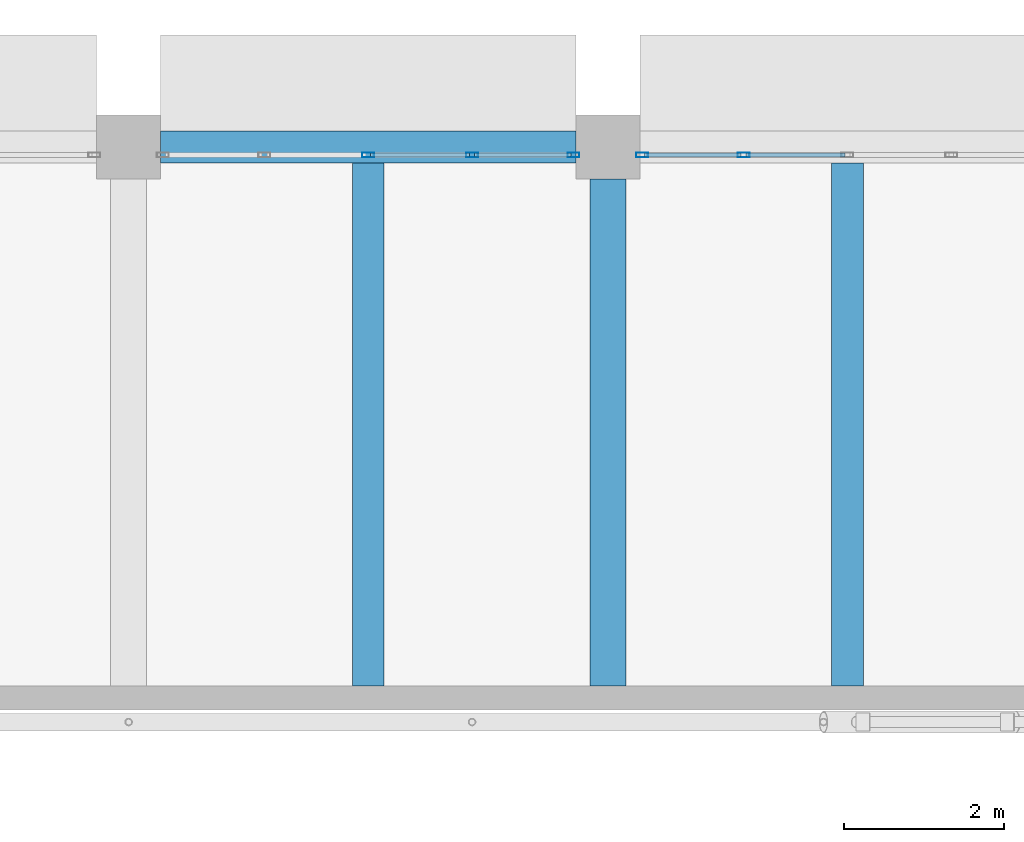
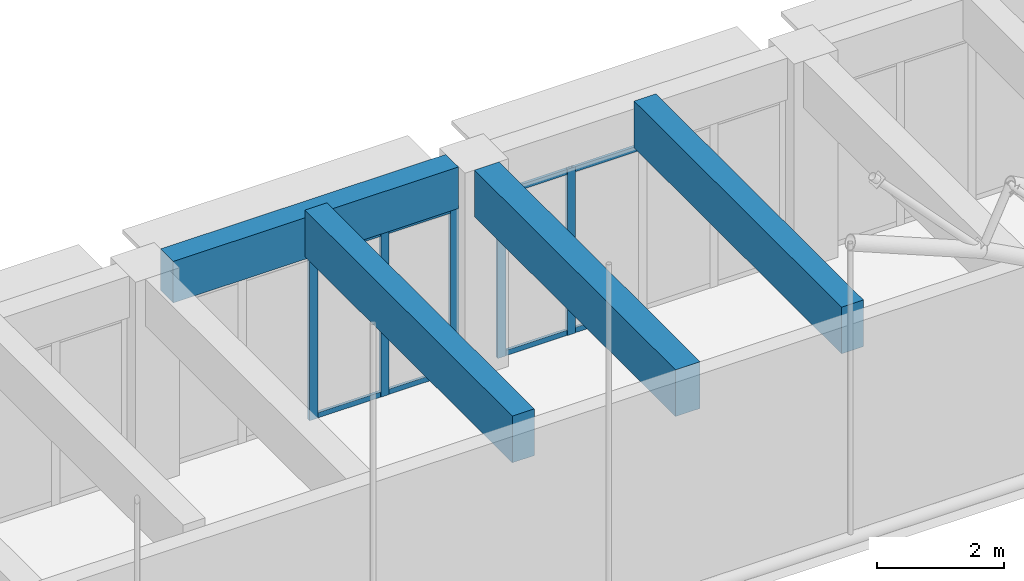
# One storey, part 27 of 101: 13 members, 4 beams, 2 elements without a shape of their own.
"""IFC4 building model written with IfcOpenShell, lengths in metres."""

from ifc_helpers import new_model, si_unit, direction, frame, origin, origin_2d, place, context, subcontext, project, spatial, rectangle, hollow_rectangle, extrude, material, material_profile, profile_set, type_object, element, aggregate, save


model = new_model("IFC4")

# Units and contexts
model_context = context("Model", 3, precision=1e-05, world=origin(), true_north=direction((0.0, 1.0)))
body_context = subcontext(model_context, "Body", "Model", "MODEL_VIEW")
ifc_project = project(units=[si_unit("LENGTHUNIT", "METRE"), si_unit("AREAUNIT", "SQUARE_METRE"), si_unit("VOLUMEUNIT", "CUBIC_METRE"), si_unit("PLANEANGLEUNIT", "RADIAN"), si_unit("MASSUNIT", "GRAM", prefix="KILO")], contexts=[model_context])

# Site, building, storey
site_placement = place(None, origin())
site = spatial("IfcSite", under=ifc_project, at=site_placement, CompositionType="ELEMENT")
building_placement = place(site_placement, origin())
building = spatial("IfcBuilding", under=site, at=building_placement, Name="Laocheng Heights Fire and Rescue Headquarters", CompositionType="ELEMENT")
storey_placement = place(building_placement, frame((0.0, 0.0, 8.39990234375)))
storey = spatial("IfcBuildingStorey", under=building, at=storey_placement, Name="L02", CompositionType="ELEMENT", Elevation=8.39990234375)

# Curtain wall, members
ifc_material_1 = material(Name="Aluminium unitised curtain wall, low-e double glazing", Category="aluminium")
curtain_wall_type = type_object("IfcCurtainWallType", Name="CW 5200 x 3200 GALLERY UNIT", PredefinedType="NOTDEFINED", material=ifc_material_1)
curtain_wall_1_placement = place(storey_placement, origin())
curtain_wall_1 = element("IfcCurtainWall", 1, at=curtain_wall_1_placement, inside=storey, type_object=curtain_wall_type, Name="Gallery north glazing L02", PredefinedType="NOTDEFINED")
ifc_material_2 = material(Name="Aluminium 6063-T5 extrusion", Category="aluminium")
ifc_material_profile_1 = material_profile(ifc_material_2, hollow_rectangle(XDim=0.06005859375, YDim=0.14990234375, WallThickness=0.0029296875, at=origin_2d()), Name="AL MULLION 150x60x3")
ifc_profile_set_1 = profile_set([ifc_material_profile_1], Name="Aluminium 6063-T5 extrusion")
member_type_1 = type_object("IfcMemberType", Name="AL CURTAIN WALL MULLION 150x60x3", PredefinedType="MULLION", material=ifc_profile_set_1)
member_1_placement = place(storey_placement, frame((39.0, 28.699951171875, 0.0), z_axis=(0.0, 0.0, 1.0), x_axis=(0.0, 1.0, 0.0)))
member_1 = element("IfcMember", 2, at=member_1_placement, type_object=member_type_1, Name="X4-E mullion 3", PredefinedType="MULLION", context=body_context, shape_type="SweptSolid", body=[
    extrude(hollow_rectangle(XDim=0.06005859375, YDim=0.14990234375, WallThickness=0.0029296875, at=origin_2d()), origin(), (0.0, 0.0, 1.0), 3.2001953125),
])
member_2_placement = place(storey_placement, frame((40.300048828125, 28.699951171875, 0.0), z_axis=(0.0, 0.0, 1.0), x_axis=(0.0, 1.0, 0.0)))
member_2 = element("IfcMember", 3, at=member_2_placement, type_object=member_type_1, Name="X4-E mullion 4", PredefinedType="MULLION", context=body_context, shape_type="SweptSolid", body=[
    extrude(hollow_rectangle(XDim=0.06005859375, YDim=0.14990234375, WallThickness=0.0029296875, at=origin_2d()), origin(), (0.0, 0.0, 1.0), 3.2001953125),
])
member_3_placement = place(storey_placement, frame((41.570068359375, 28.699951171875, 0.0), z_axis=(0.0, 0.0, 1.0), x_axis=(0.0, 1.0, 0.0)))
member_3 = element("IfcMember", 4, at=member_3_placement, type_object=member_type_1, Name="X4-E mullion 5", PredefinedType="MULLION", context=body_context, shape_type="SweptSolid", body=[
    extrude(hollow_rectangle(XDim=0.06005859375, YDim=0.14990234375, WallThickness=0.0029296875, at=origin_2d()), origin(), (0.0, 0.0, 1.0), 3.2001953125),
])

curtain_wall_2_placement = place(storey_placement, origin())
curtain_wall_2 = element("IfcCurtainWall", 5, at=curtain_wall_2_placement, inside=storey, type_object=curtain_wall_type, Name="Gallery north glazing L02", PredefinedType="NOTDEFINED")
member_4_placement = place(storey_placement, frame((42.429931640625, 28.699951171875, 0.0), z_axis=(0.0, 0.0, 1.0), x_axis=(0.0, 1.0, 0.0)))
member_4 = element("IfcMember", 6, at=member_4_placement, type_object=member_type_1, Name="X4-E mullion 1", PredefinedType="MULLION", context=body_context, shape_type="SweptSolid", body=[
    extrude(hollow_rectangle(XDim=0.06005859375, YDim=0.14990234375, WallThickness=0.0029296875, at=origin_2d()), origin(), (0.0, 0.0, 1.0), 3.2001953125),
])
member_5_placement = place(storey_placement, frame((43.699951171875, 28.699951171875, 0.0), z_axis=(0.0, 0.0, 1.0), x_axis=(0.0, 1.0, 0.0)))
member_5 = element("IfcMember", 7, at=member_5_placement, type_object=member_type_1, Name="X4-E mullion 2", PredefinedType="MULLION", context=body_context, shape_type="SweptSolid", body=[
    extrude(hollow_rectangle(XDim=0.06005859375, YDim=0.14990234375, WallThickness=0.0029296875, at=origin_2d()), origin(), (0.0, 0.0, 1.0), 3.2001953125),
])

# Member
ifc_material_3 = material(Name="Aluminium 6063-T5 extrusion", Category="aluminium")
ifc_material_profile_2 = material_profile(ifc_material_3, hollow_rectangle(XDim=0.050048828125, YDim=0.10009765625, WallThickness=0.0029296875, at=origin_2d()), Name="AL TRANSOM 100x50x3")
ifc_profile_set_2 = profile_set([ifc_material_profile_2], Name="Aluminium 6063-T5 extrusion")
member_type_2 = type_object("IfcMemberType", Name="AL CURTAIN WALL TRANSOM 100x50x3", PredefinedType="USERDEFINED", material=ifc_profile_set_2)
member_6_placement = place(storey_placement, frame((39.030029296875, 28.699951171875, 0.050048828125), z_axis=(1.0, 0.0, 0.0), x_axis=(0.0, 1.0, 0.0)))
member_6 = element("IfcMember", 8, at=member_6_placement, type_object=member_type_2, Name="X4-E transom 3.1", ObjectType="TRANSOM", PredefinedType="USERDEFINED", context=body_context, shape_type="SweptSolid", body=[
    extrude(hollow_rectangle(XDim=0.050048828125, YDim=0.10009765625, WallThickness=0.0029296875, at=origin_2d()), origin(), (0.0, 0.0, 1.0), 1.239990234375),
])

member_7_placement = place(storey_placement, frame((39.030029296875, 28.699951171875, 3.150146484375), z_axis=(1.0, 0.0, 0.0), x_axis=(0.0, 1.0, 0.0)))
member_7 = element("IfcMember", 9, at=member_7_placement, type_object=member_type_2, Name="X4-E transom 3.2", ObjectType="TRANSOM", PredefinedType="USERDEFINED", context=body_context, shape_type="SweptSolid", body=[
    extrude(hollow_rectangle(XDim=0.050048828125, YDim=0.10009765625, WallThickness=0.0029296875, at=origin_2d()), origin(), (0.0, 0.0, 1.0), 1.239990234375),
])

member_8_placement = place(storey_placement, frame((40.330078125, 28.699951171875, 0.050048828125), z_axis=(1.0, 0.0, 0.0), x_axis=(0.0, 1.0, 0.0)))
member_8 = element("IfcMember", 10, at=member_8_placement, type_object=member_type_2, Name="X4-E transom 4.1", ObjectType="TRANSOM", PredefinedType="USERDEFINED", context=body_context, shape_type="SweptSolid", body=[
    extrude(hollow_rectangle(XDim=0.050048828125, YDim=0.10009765625, WallThickness=0.0029296875, at=origin_2d()), origin(), (0.0, 0.0, 1.0), 1.2099609375),
])

member_9_placement = place(storey_placement, frame((40.330078125, 28.699951171875, 3.150146484375), z_axis=(1.0, 0.0, 0.0), x_axis=(0.0, 1.0, 0.0)))
member_9 = element("IfcMember", 11, at=member_9_placement, type_object=member_type_2, Name="X4-E transom 4.2", ObjectType="TRANSOM", PredefinedType="USERDEFINED", context=body_context, shape_type="SweptSolid", body=[
    extrude(hollow_rectangle(XDim=0.050048828125, YDim=0.10009765625, WallThickness=0.0029296875, at=origin_2d()), origin(), (0.0, 0.0, 1.0), 1.2099609375),
])

aggregate(curtain_wall_1, [member_1, member_2, member_3, member_6, member_7, member_8, member_9])

member_10_placement = place(storey_placement, frame((42.4599609375, 28.699951171875, 0.050048828125), z_axis=(1.0, 0.0, 0.0), x_axis=(0.0, 1.0, 0.0)))
member_10 = element("IfcMember", 12, at=member_10_placement, type_object=member_type_2, Name="X4-E transom 1.1", ObjectType="TRANSOM", PredefinedType="USERDEFINED", context=body_context, shape_type="SweptSolid", body=[
    extrude(hollow_rectangle(XDim=0.050048828125, YDim=0.10009765625, WallThickness=0.0029296875, at=origin_2d()), origin(), (0.0, 0.0, 1.0), 1.2099609375),
])

member_11_placement = place(storey_placement, frame((42.4599609375, 28.699951171875, 3.150146484375), z_axis=(1.0, 0.0, 0.0), x_axis=(0.0, 1.0, 0.0)))
member_11 = element("IfcMember", 13, at=member_11_placement, type_object=member_type_2, Name="X4-E transom 1.2", ObjectType="TRANSOM", PredefinedType="USERDEFINED", context=body_context, shape_type="SweptSolid", body=[
    extrude(hollow_rectangle(XDim=0.050048828125, YDim=0.10009765625, WallThickness=0.0029296875, at=origin_2d()), origin(), (0.0, 0.0, 1.0), 1.2099609375),
])

member_12_placement = place(storey_placement, frame((43.72998046875, 28.699951171875, 0.050048828125), z_axis=(1.0, 0.0, 0.0), x_axis=(0.0, 1.0, 0.0)))
member_12 = element("IfcMember", 14, at=member_12_placement, type_object=member_type_2, Name="X4-E transom 2.1", ObjectType="TRANSOM", PredefinedType="USERDEFINED", context=body_context, shape_type="SweptSolid", body=[
    extrude(hollow_rectangle(XDim=0.050048828125, YDim=0.10009765625, WallThickness=0.0029296875, at=origin_2d()), origin(), (0.0, 0.0, 1.0), 1.239990234375),
])

member_13_placement = place(storey_placement, frame((43.72998046875, 28.699951171875, 3.150146484375), z_axis=(1.0, 0.0, 0.0), x_axis=(0.0, 1.0, 0.0)))
member_13 = element("IfcMember", 15, at=member_13_placement, type_object=member_type_2, Name="X4-E transom 2.2", ObjectType="TRANSOM", PredefinedType="USERDEFINED", context=body_context, shape_type="SweptSolid", body=[
    extrude(hollow_rectangle(XDim=0.050048828125, YDim=0.10009765625, WallThickness=0.0029296875, at=origin_2d()), origin(), (0.0, 0.0, 1.0), 1.239990234375),
])

aggregate(curtain_wall_2, [member_4, member_5, member_10, member_11, member_12, member_13])

# Beams
ifc_material_4 = material(Name="Concrete C40", Category="concrete")
ifc_material_profile_3 = material_profile(ifc_material_4, rectangle(XDim=0.39990234375, YDim=0.800048828125, at=origin_2d()), Name="RC BEAM 400x800 GALLERY FLOOR")
ifc_profile_set_3 = profile_set([ifc_material_profile_3], Name="Concrete C40")
beam_type_1 = type_object("IfcBeamType", Name="RC BEAM 400x800 GALLERY FLOOR", PredefinedType="BEAM", material=ifc_profile_set_3)
beam_1_placement = place(storey_placement, frame((36.39990234375, 28.800048828125, 3.60009765625), z_axis=(1.0, 0.0, 0.0), x_axis=(0.0, 1.0, 0.0)))
element("IfcBeam", 16, at=beam_1_placement, inside=storey, type_object=beam_type_1, Name="Gallery floor beam", PredefinedType="BEAM", context=body_context, shape_type="SweptSolid", body=[
    extrude(rectangle(XDim=0.39990234375, YDim=0.800048828125, at=origin_2d()), origin(), (0.0, 0.0, 1.0), 5.2001953125),
])
ifc_material_5 = material(Name="Concrete C50", Category="concrete")
ifc_material_profile_4 = material_profile(ifc_material_5, rectangle(XDim=0.39990234375, YDim=0.89990234375, at=origin_2d()), Name="RC BEAM 400x900 TRANSFER SECONDARY")
ifc_profile_set_4 = profile_set([ifc_material_profile_4], Name="Concrete C50")
beam_type_2 = type_object("IfcBeamType", Name="RC BEAM 400x900 TRANSFER SECONDARY", PredefinedType="BEAM", material=ifc_profile_set_4)
for number, where, z_axis, x_axis, name in (
    (17, (39.0, 22.050048828125, 3.7001953125), (0.0, 1.0, 0.0), (-1.0, 0.0, 0.0), "Gallery secondary beam"),
    (18, (45.0, 22.050048828125, 3.7001953125), (0.0, 1.0, 0.0), (-1.0, 0.0, 0.0), "Gallery secondary beam"),
):
    element("IfcBeam", number, at=place(storey_placement, frame(where, z_axis=z_axis, x_axis=x_axis)), inside=storey, type_object=beam_type_2, Name=name, PredefinedType="BEAM", context=body_context, shape_type="SweptSolid", body=[
        extrude(rectangle(XDim=0.39990234375, YDim=0.89990234375, at=origin_2d()), origin(), (0.0, 0.0, 1.0), 6.550048828125),
    ])
ifc_material_6 = material(Name="Concrete C40", Category="concrete")
ifc_material_profile_5 = material_profile(ifc_material_6, rectangle(XDim=0.449951171875, YDim=0.89990234375, at=origin_2d()), Name="RC BEAM 450x900 GALLERY FLOOR")
ifc_profile_set_5 = profile_set([ifc_material_profile_5], Name="Concrete C40")
beam_type_3 = type_object("IfcBeamType", Name="RC BEAM 450x900 GALLERY FLOOR", PredefinedType="BEAM", material=ifc_profile_set_5)
beam_2_placement = place(storey_placement, frame((42.0, 22.050048828125, 3.550048828125), z_axis=(0.0, 1.0, 0.0), x_axis=(-1.0, 0.0, 0.0)))
element("IfcBeam", 19, at=beam_2_placement, inside=storey, type_object=beam_type_3, Name="Gallery beam on south wall", PredefinedType="BEAM", context=body_context, shape_type="SweptSolid", body=[
    extrude(rectangle(XDim=0.449951171875, YDim=0.89990234375, at=origin_2d()), origin(), (0.0, 0.0, 1.0), 6.349853515625),
])

save(model, "model.ifc")
